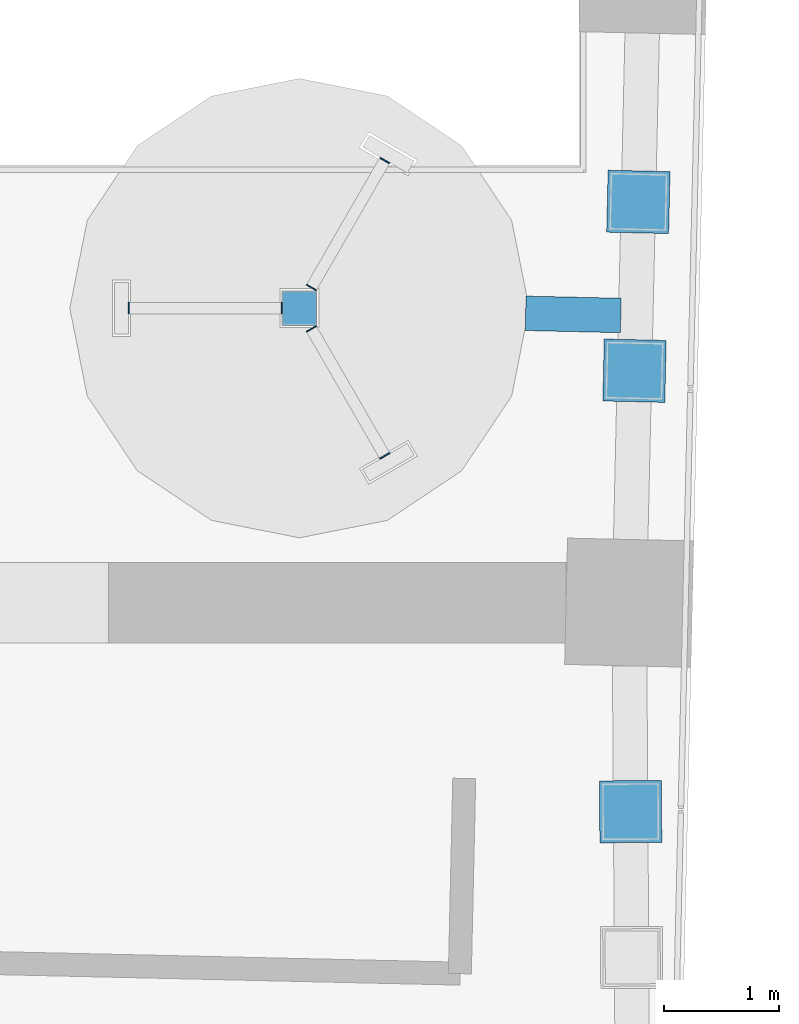
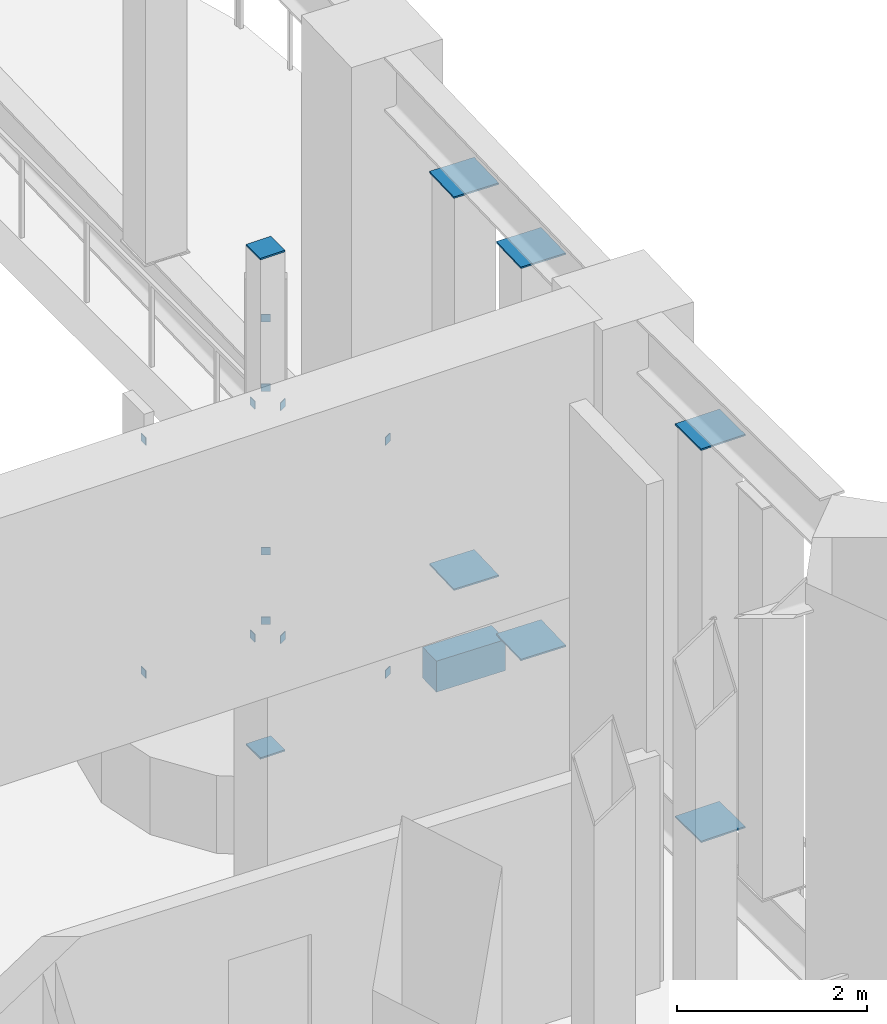
# One storey, part 19 of 33: 21 discrete accessories.
"""IFC4 building model written with IfcOpenShell, lengths in metres."""

import ifcopenshell
import ifcopenshell.guid

model = None  # the IFC model being written
_history = None  # IfcOwnerHistory: only IFC2X3 demands one
_inside = {}  # id of a spatial element -> (the spatial element, [elements in it])
_under = {}  # id of a project, library or spatial element -> (it, [spatial elements below it])
_declared = {}  # id of a project -> (the project, [libraries it declares])
_typed = {}  # id of a type object -> (the type object, [elements of that type])
_made_of = {}  # id of a material, layer set ... -> (it, [elements and type objects made of it])


def new_model(schema):
    """Start an empty IFC model of exactly this schema.

    Asked for "IFC4X3", IfcOpenShell would pick the latest addendum, in which some entities
    have other attributes; the version numbers below select the first issue.
    IFC2X3 requires an IfcOwnerHistory on every rooted entity: one is made here for all.
    """
    global model, _history
    if schema == "IFC4X3":
        model = ifcopenshell.file(schema_version=(4, 3, 0, 0))
    else:
        model = ifcopenshell.file(schema=schema)
    _inside.clear()
    _under.clear()
    _declared.clear()
    _typed.clear()
    _made_of.clear()
    _history = None
    if model.schema == "IFC2X3":
        org = make("IfcOrganization", Name="unknown")
        user = make(
            "IfcPersonAndOrganization",
            ThePerson=make("IfcPerson", FamilyName="unknown"),
            TheOrganization=org,
        )
        app = make(
            "IfcApplication",
            ApplicationDeveloper=org,
            Version="unknown",
            ApplicationFullName="unknown",
            ApplicationIdentifier="unknown",
        )
        _history = make(
            "IfcOwnerHistory",
            OwningUser=user,
            OwningApplication=app,
            ChangeAction="ADDED",
            CreationDate=0,
        )
    return model


def make(cls, **values):
    """One entity of the class cls with the attributes given. An attribute that is None is left unset."""
    return model.create_entity(
        cls, **{name: value for name, value in values.items() if value is not None}
    )


def rooted(cls, **values):
    """An entity with a GlobalId (a new one), such as an element, a storey or a relation."""
    return make(cls, GlobalId=ifcopenshell.guid.new(), OwnerHistory=_history, **values)


def si_unit(unit_type, name, prefix=None):
    """IfcSIUnit, for example si_unit("LENGTHUNIT", "METRE", prefix="MILLI")."""
    return make("IfcSIUnit", UnitType=unit_type, Prefix=prefix, Name=name)


def assignment(units):
    """IfcUnitAssignment: the units of a project."""
    return None if units is None else make("IfcUnitAssignment", Units=units)


def point(xyz):
    """IfcCartesianPoint."""
    return None if xyz is None else make("IfcCartesianPoint", Coordinates=xyz)


def direction(xyz):
    """IfcDirection."""
    return None if xyz is None else make("IfcDirection", DirectionRatios=xyz)


def frame(location, z_axis=None, x_axis=None):
    """IfcAxis2Placement3D, a coordinate frame: its origin and axes. An axis left out is left unset."""
    return make(
        "IfcAxis2Placement3D",
        Location=point(location),
        Axis=direction(z_axis),
        RefDirection=direction(x_axis),
    )


def frame_2d(location, x_axis=None):
    """IfcAxis2Placement2D, a coordinate frame in the plane: its origin and x axis."""
    return make(
        "IfcAxis2Placement2D", Location=point(location), RefDirection=direction(x_axis)
    )


def origin():
    """The frame at (0, 0, 0) with its axes left unset."""
    return frame((0.0, 0.0, 0.0))


def origin_2d():
    """The frame at (0, 0) in the plane with its x axis left unset."""
    return frame_2d((0.0, 0.0))


def place(relative_to, where):
    """IfcLocalPlacement: puts the frame where relative to a parent placement (None: the world)."""
    return make(
        "IfcLocalPlacement", PlacementRelTo=relative_to, RelativePlacement=where
    )


def context(
    kind, dimensions, precision=None, world=None, true_north=None, identifier=None
):
    """IfcGeometricRepresentationContext, for example the 3D "Model" context."""
    return make(
        "IfcGeometricRepresentationContext",
        ContextIdentifier=identifier,
        ContextType=kind,
        CoordinateSpaceDimension=dimensions,
        Precision=precision,
        WorldCoordinateSystem=world,
        TrueNorth=true_north,
    )


def subcontext(parent, identifier, kind, view, scale=None):
    """IfcGeometricRepresentationSubContext, for example "Body" below "Model"."""
    return make(
        "IfcGeometricRepresentationSubContext",
        ContextIdentifier=identifier,
        ContextType=kind,
        ParentContext=parent,
        TargetScale=scale,
        TargetView=view,
    )


def project(units=None, contexts=None):
    """IfcProject with its units and contexts."""
    return rooted(
        "IfcProject",
        Name="project",
        RepresentationContexts=contexts,
        UnitsInContext=assignment(units),
    )


def spatial(cls, under=None, at=None, **own):
    """A site, building, storey or space (cls), placed at a placement, below another one or the project."""
    s = rooted(cls, ObjectPlacement=at, **own)
    if under is not None:
        _under.setdefault(under.id(), (under, []))[1].append(s)
    return s


def profile(cls, at=None, kind="AREA", **sizes):
    """A parametric profile (cls). Its sizes go by their IFC names, for example OverallWidth=200.0."""
    return make(cls, ProfileType=kind, Position=at, **sizes)


def rectangle(**sizes):
    """IfcRectangleProfileDef."""
    return profile("IfcRectangleProfileDef", **sizes)


def extrude(swept, where, along, depth):
    """IfcExtrudedAreaSolid: the profile swept, set in the frame where, extruded along a direction by depth."""
    return make(
        "IfcExtrudedAreaSolid",
        SweptArea=swept,
        Position=where,
        ExtrudedDirection=direction(along),
        Depth=depth,
    )


def shape(context_of_items, identifier, shape_type, items):
    """IfcShapeRepresentation: the items that make up one representation, for example the "Body"."""
    return make(
        "IfcShapeRepresentation",
        ContextOfItems=context_of_items,
        RepresentationIdentifier=identifier,
        RepresentationType=shape_type,
        Items=items,
    )


def material(Name=None, Category=None):
    """IfcMaterial."""
    return make("IfcMaterial", Name=Name, Category=Category)


def layer(
    of_material, thickness, ventilated=None, Name=None, Category=None, Priority=None
):
    """IfcMaterialLayer: one layer of a wall or slab, of a material (None: an air gap)."""
    return make(
        "IfcMaterialLayer",
        Material=of_material,
        LayerThickness=thickness,
        IsVentilated=ventilated,
        Name=Name,
        Category=Category,
        Priority=Priority,
    )


def layer_set(layers, Name=None):
    """IfcMaterialLayerSet."""
    return make("IfcMaterialLayerSet", MaterialLayers=layers, LayerSetName=Name)


def made_of(thing, what):
    """Note that an element or type object is made of a material, layer set ...; save() writes the relation."""
    if what is not None:
        _made_of.setdefault(what.id(), (what, []))[1].append(thing)
    return thing


def type_object(cls, material=None, **own):
    """A type object (cls), such as IfcWallType, which elements share."""
    return made_of(rooted(cls, **own), material)


def element(
    cls,
    number,
    at=None,
    inside=None,
    cuts=None,
    type_object=None,
    material=None,
    context=None,
    identifier="Body",
    shape_type=None,
    held_by="IfcProductDefinitionShape",
    body=None,
    shapes=None,
    **own,
):
    """One element of the class cls, such as IfcWall. Its Tag is "e" and its number.

    at: its placement. inside: the storey or other place that contains it. cuts: it is an
    opening in that element (IfcRelVoidsElement). A single representation is given by context,
    identifier, shape_type and body (its items); several are given by shapes. held_by: the class
    of the entity that holds the representations. save() writes the other relations.
    """
    e = rooted(cls, Tag="e%d" % number, ObjectPlacement=at, **own)
    if body is not None:
        shapes = [shape(context, identifier, shape_type, body)]
    if shapes is not None:
        e.Representation = make(held_by, Representations=shapes)
    if inside is not None:
        _inside.setdefault(inside.id(), (inside, []))[1].append(e)
    if cuts is not None:
        rooted(
            "IfcRelVoidsElement", RelatingBuildingElement=cuts, RelatedOpeningElement=e
        )
    if type_object is not None:
        _typed.setdefault(type_object.id(), (type_object, []))[1].append(e)
    return made_of(e, material)


def aggregate(whole, parts):
    """IfcRelAggregates: a whole, such as a stair, and the parts it consists of."""
    return rooted("IfcRelAggregates", RelatingObject=whole, RelatedObjects=parts)


def save(model, path):
    """Write the relations noted so far, then the file.

    IfcRelAggregates (storeys below a building ...), IfcRelContainedInSpatialStructure (elements
    in a storey), IfcRelDefinesByType, IfcRelAssociatesMaterial and IfcRelDeclares: one each for
    every whole, place, type object, material and project.
    """
    for whole, parts in _under.values():
        aggregate(whole, parts)
    for where, things in _inside.values():
        rooted(
            "IfcRelContainedInSpatialStructure",
            RelatedElements=things,
            RelatingStructure=where,
        )
    for kind, things in _typed.values():
        rooted("IfcRelDefinesByType", RelatedObjects=things, RelatingType=kind)
    for what, things in _made_of.values():
        rooted("IfcRelAssociatesMaterial", RelatedObjects=things, RelatingMaterial=what)
    for by, libraries in _declared.values():
        rooted("IfcRelDeclares", RelatingContext=by, RelatedDefinitions=libraries)
    model.write(path)


model = new_model("IFC4")

# Units and contexts
model_context = context("Model", 3, precision=1e-05, world=origin(), true_north=direction((0.0, 1.0)))
body_context = subcontext(model_context, "Body", "Model", "MODEL_VIEW")
ifc_project = project(units=[si_unit("LENGTHUNIT", "METRE"), si_unit("AREAUNIT", "SQUARE_METRE"), si_unit("VOLUMEUNIT", "CUBIC_METRE"), si_unit("PLANEANGLEUNIT", "RADIAN"), si_unit("MASSUNIT", "GRAM", prefix="KILO")], contexts=[model_context])

# Site, building, storey
site_placement = place(None, origin())
site = spatial("IfcSite", under=ifc_project, at=site_placement, CompositionType="ELEMENT")
building_placement = place(site_placement, origin())
building = spatial("IfcBuilding", under=site, at=building_placement, Name="Mangrove Gate Tower", CompositionType="ELEMENT")
storey_placement = place(building_placement, frame((0.0, 0.0, 219.5)))
storey = spatial("IfcBuildingStorey", under=building, at=storey_placement, Name="L56", CompositionType="ELEMENT", Elevation=219.5)

# Discrete accessories
ifc_material_1 = material(Name="Steel S355J2H", Category="steel")
ifc_layer_1 = layer(ifc_material_1, 0.010009765625)
ifc_layer_set_1 = layer_set([ifc_layer_1], Name="Arm end plate 100x100x10")
discrete_accessory_type_1 = type_object("IfcDiscreteAccessoryType", Name="Arm end plate 100x100x10", PredefinedType="ANCHORPLATE", material=ifc_layer_set_1)
for number, where, z_axis, x_axis, name in (
    (1, (20.666015625, -8.56396484375, 1.449951171875), (0.0, 0.0, 1.0), (0.5, 0.866025403784, 0.0), "END PLATE ARM L56 10.1.1 MAST"),
    (2, (21.304931640625, -7.4580078125, 1.449951171875), (0.0, 0.0, 1.0), (0.5, 0.866025403784, 0.0), "END PLATE ARM L56 10.1.1 FIN"),
    (3, (20.666015625, -8.56396484375, 4.449951171875), (0.0, 0.0, 1.0), (0.5, 0.866025403784, 0.0), "END PLATE ARM L56 10.1.2 MAST"),
    (4, (21.304931640625, -7.4580078125, 4.449951171875), (0.0, 0.0, 1.0), (0.5, 0.866025403784, 0.0), "END PLATE ARM L56 10.1.2 FIN"),
    (5, (20.406982421875, -8.743896484375, 1.449951171875), (0.0, 0.0, 1.0), (-1.0, 0.0, 0.0), "END PLATE ARM L56 10.2.1 MAST"),
    (6, (19.076904296875, -8.743896484375, 1.449951171875), (0.0, 0.0, 1.0), (-1.0, 0.0, 0.0), "END PLATE ARM L56 10.2.1 FIN"),
    (7, (20.406982421875, -8.743896484375, 4.449951171875), (0.0, 0.0, 1.0), (-1.0, 0.0, 0.0), "END PLATE ARM L56 10.2.2 MAST"),
    (8, (19.076904296875, -8.743896484375, 4.449951171875), (0.0, 0.0, 1.0), (-1.0, 0.0, 0.0), "END PLATE ARM L56 10.2.2 FIN"),
    (9, (20.666015625, -8.924072265625, 1.449951171875), (0.0, 0.0, 1.0), (0.5, -0.866025403784, 0.0), "END PLATE ARM L56 10.3.1 MAST"),
    (10, (21.304931640625, -10.030029296875, 1.449951171875), (0.0, 0.0, 1.0), (0.5, -0.866025403784, 0.0), "END PLATE ARM L56 10.3.1 FIN"),
    (11, (20.666015625, -8.924072265625, 4.449951171875), (0.0, 0.0, 1.0), (0.5, -0.866025403784, 0.0), "END PLATE ARM L56 10.3.2 MAST"),
    (12, (21.304931640625, -10.030029296875, 4.449951171875), (0.0, 0.0, 1.0), (0.5, -0.866025403784, 0.0), "END PLATE ARM L56 10.3.2 FIN"),
):
    element("IfcDiscreteAccessory", number, at=place(storey_placement, frame(where, z_axis=z_axis, x_axis=x_axis)), inside=storey, type_object=discrete_accessory_type_1, Name=name, PredefinedType="ANCHORPLATE", context=body_context, shape_type="SweptSolid", body=[
        extrude(rectangle(XDim=0.010009765625, YDim=0.10009765625, at=origin_2d()), origin(), (0.0, 0.0, 1.0), 0.10009765625),
    ])
ifc_material_2 = material(Name="Steel S355J2H", Category="steel")
ifc_layer_2 = layer(ifc_material_2, 0.02001953125)
ifc_layer_set_2 = layer_set([ifc_layer_2], Name="Belt truss end plate 540x540x20")
discrete_accessory_type_2 = type_object("IfcDiscreteAccessoryType", Name="Belt truss end plate 540x540x20", PredefinedType="ANCHORPLATE", material=ifc_layer_set_2)
for number, where, z_axis, x_axis, name in (
    (13, (23.446044921875, -13.12841796875, 0.68994140625), (0.0, 0.0, 1.0), (-0.006505075496, 0.999978841773, 0.0), "Belt truss end plate L56 12-2 bottom"),
    (14, (23.446044921875, -13.12841796875, 5.739990234375), (0.0, 0.0, 1.0), (-0.006505075496, 0.999978841773, 0.0), "Belt truss end plate L56 12-2 top"),
    (15, (23.47998046875, -9.28857421875, 0.68994140625), (0.0, 0.0, 1.0), (0.022680354052, 0.999742767686, 0.0), "Belt truss end plate L56 13-1 bottom"),
    (16, (23.47998046875, -9.28857421875, 5.739990234375), (0.0, 0.0, 1.0), (0.022680354052, 0.999742767686, 0.0), "Belt truss end plate L56 13-1 top"),
    (17, (23.513427734375, -7.818359375, 0.68994140625), (0.0, 0.0, 1.0), (0.022680354052, 0.999742767686, 0.0), "Belt truss end plate L56 13-2 bottom"),
    (18, (23.513427734375, -7.818359375, 5.739990234375), (0.0, 0.0, 1.0), (0.022680354052, 0.999742767686, 0.0), "Belt truss end plate L56 13-2 top"),
):
    element("IfcDiscreteAccessory", number, at=place(storey_placement, frame(where, z_axis=z_axis, x_axis=x_axis)), inside=storey, type_object=discrete_accessory_type_2, Name=name, PredefinedType="ANCHORPLATE", context=body_context, shape_type="SweptSolid", body=[
        extrude(rectangle(XDim=0.5400390625, YDim=0.5400390625, at=origin_2d()), origin(), (0.0, 0.0, 1.0), 0.02001953125),
    ])
ifc_material_3 = material(Name="Steel S355J2H", Category="steel")
ifc_layer_3 = layer(ifc_material_3, 0.02001953125)
ifc_layer_set_3 = layer_set([ifc_layer_3], Name="Mast end plate 300x300x20")
discrete_accessory_type_3 = type_object("IfcDiscreteAccessoryType", Name="Mast end plate 300x300x20", PredefinedType="ANCHORPLATE", material=ifc_layer_set_3)
for number, where, z_axis, x_axis, name in (
    (19, (20.56201171875, -8.743896484375, 0.0), (0.0, 0.0, 1.0), (1.0, 0.0, 0.0), "END PLATE MAST L56 10 FOOT"),
    (20, (20.56201171875, -8.743896484375, 6.429931640625), (0.0, 0.0, 1.0), (1.0, 0.0, 0.0), "END PLATE MAST L56 10 HEAD"),
):
    element("IfcDiscreteAccessory", number, at=place(storey_placement, frame(where, z_axis=z_axis, x_axis=x_axis)), inside=storey, type_object=discrete_accessory_type_3, Name=name, PredefinedType="ANCHORPLATE", context=body_context, shape_type="SweptSolid", body=[
        extrude(rectangle(XDim=0.300048828125, YDim=0.300048828125, at=origin_2d()), origin(), (0.0, 0.0, 1.0), 0.02001953125),
    ])
ifc_material_4 = material(Name="Steel S355J2", Category="steel")
ifc_layer_4 = layer(ifc_material_4, 0.39990234375)
ifc_layer_set_4 = layer_set([ifc_layer_4], Name="Turbine bracket")
discrete_accessory_type_4 = type_object("IfcDiscreteAccessoryType", Name="Turbine bracket", PredefinedType="BRACKET", material=ifc_layer_set_4)
discrete_accessory_placement = place(storey_placement, frame((22.9462890625, -8.798095703125, 0.150146484375), z_axis=(0.0, 0.0, 1.0), x_axis=(-0.999742765707, 0.022680441296, 0.0)))
element("IfcDiscreteAccessory", 21, at=discrete_accessory_placement, inside=storey, type_object=discrete_accessory_type_4, Name="Turbine bracket GEN-L56-E10", PredefinedType="BRACKET", context=body_context, shape_type="SweptSolid", body=[
    extrude(rectangle(XDim=0.82958984375, YDim=0.300048828125, at=origin_2d()), origin(), (0.0, 0.0, 1.0), 0.39990234375),
])

save(model, "model.ifc")
